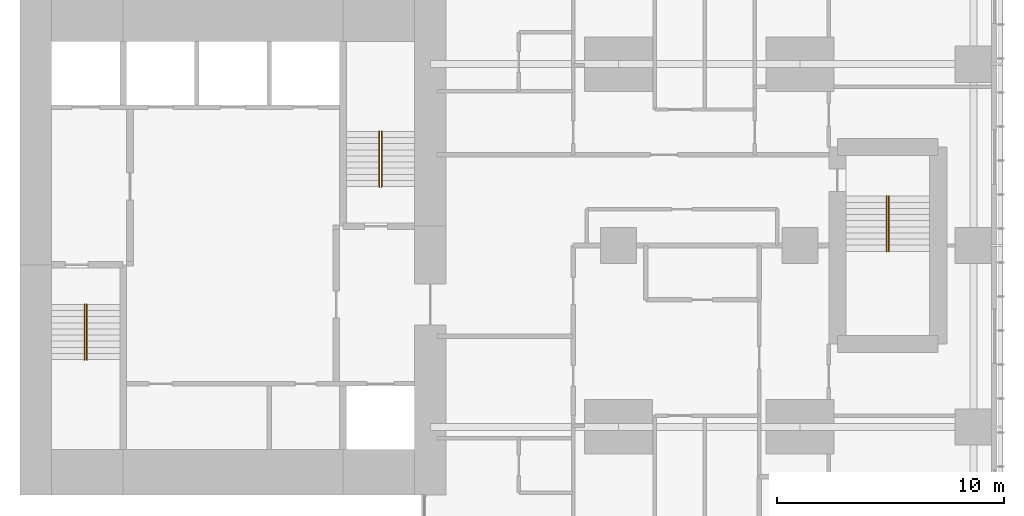
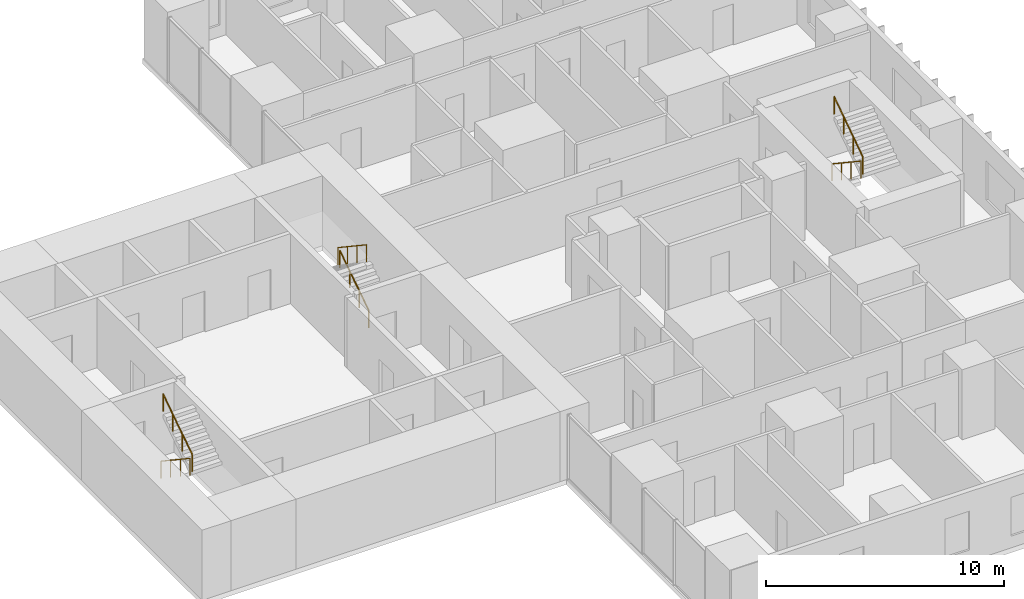
# One storey, part 12 of 12: 6 railings.
"""IFC4 building model written with IfcOpenShell, lengths in metres."""

from ifc_helpers import new_model, si_unit, direction, frame, origin, origin_2d, place, context, subcontext, project, spatial, circle, extrude, material, type_object, element, save


model = new_model("IFC4")

# Units and contexts
model_context = context("Model", 3, precision=1e-05, world=origin(), true_north=direction((0.0, 1.0)))
body_context = subcontext(model_context, "Body", "Model", "MODEL_VIEW")
ifc_project = project(units=[si_unit("LENGTHUNIT", "METRE"), si_unit("AREAUNIT", "SQUARE_METRE"), si_unit("VOLUMEUNIT", "CUBIC_METRE"), si_unit("PLANEANGLEUNIT", "RADIAN"), si_unit("MASSUNIT", "GRAM", prefix="KILO")], contexts=[model_context])

# Site, building, storey
site_placement = place(None, origin())
site = spatial("IfcSite", under=ifc_project, at=site_placement, CompositionType="ELEMENT")
building_placement = place(site_placement, origin())
building = spatial("IfcBuilding", under=site, at=building_placement, Name="Cleftline Residences", CompositionType="ELEMENT")
storey_placement = place(building_placement, frame((0.0, 0.0, 262.800048828125)))
storey = spatial("IfcBuildingStorey", under=building, at=storey_placement, Name="L69", CompositionType="ELEMENT", Elevation=262.800048828125)

# Railings
ifc_material = material(Name="Stainless steel", Category="steel")
railing_type = type_object("IfcRailingType", Name="HANDRAIL 900", PredefinedType="HANDRAIL", material=ifc_material)
railing_1_placement = place(storey_placement, frame((26.449951171875, 21.39990234375, 0.179931640625)))
element("IfcRailing", 1, at=railing_1_placement, inside=storey, type_object=railing_type, Name="Stair handrail", PredefinedType="HANDRAIL", context=body_context, shape_type="SweptSolid", body=[
    extrude(circle(Radius=0.02392578125, at=origin_2d()), frame((0.0, 0.0, 0.8759765625), z_axis=(0.0, -0.832024571796, 0.554738778101), x_axis=(1.0, 0.0, 0.0)), (0.0, 0.0, 1.0), 2.92041015625),
    extrude(circle(Radius=0.02099609375, at=origin_2d()), origin(), (0.0, 0.0, 1.0), 0.851806640625),
    extrude(circle(Radius=0.02099609375, at=origin_2d()), frame((0.0, -0.81005859375, 0.5400390625)), (0.0, 0.0, 1.0), 0.851806640625),
    extrude(circle(Radius=0.02099609375, at=origin_2d()), frame((0.0, -1.619873046875, 1.080078125)), (0.0, 0.0, 1.0), 0.851806640625),
    extrude(circle(Radius=0.02099609375, at=origin_2d()), frame((0.0, -2.429931640625, 1.6201171875)), (0.0, 0.0, 1.0), 0.851806640625),
])
railing_2_placement = place(storey_placement, frame((26.550048828125, 18.969970703125, 1.97998046875)))
element("IfcRailing", 2, at=railing_2_placement, inside=storey, type_object=railing_type, Name="Stair handrail", PredefinedType="HANDRAIL", context=body_context, shape_type="SweptSolid", body=[
    extrude(circle(Radius=0.02392578125, at=origin_2d()), frame((0.0, 0.0, 0.8759765625), z_axis=(0.0, 0.832063155534, 0.554680903946), x_axis=(-1.0, 0.0, 0.0)), (0.0, 0.0, 1.0), 2.92041015625),
    extrude(circle(Radius=0.02099609375, at=origin_2d()), origin(), (0.0, 0.0, 1.0), 0.851806640625),
    extrude(circle(Radius=0.02099609375, at=origin_2d()), frame((0.0, 0.81005859375, 0.5400390625)), (0.0, 0.0, 1.0), 0.851806640625),
    extrude(circle(Radius=0.02099609375, at=origin_2d()), frame((0.0, 1.619873046875, 1.079833984375)), (0.0, 0.0, 1.0), 0.851806640625),
    extrude(circle(Radius=0.02099609375, at=origin_2d()), frame((0.0, 2.429931640625, 1.619873046875)), (0.0, 0.0, 1.0), 0.851806640625),
])
railing_3_placement = place(storey_placement, frame((39.550048828125, 26.60009765625, 0.179931640625)))
element("IfcRailing", 3, at=railing_3_placement, inside=storey, type_object=railing_type, Name="Stair handrail", PredefinedType="HANDRAIL", context=body_context, shape_type="SweptSolid", body=[
    extrude(circle(Radius=0.02392578125, at=origin_2d()), frame((0.0, 0.0, 0.8759765625), z_axis=(0.0, 0.832024571796, 0.554738778101), x_axis=(-1.0, 0.0, 0.0)), (0.0, 0.0, 1.0), 2.92041015625),
    extrude(circle(Radius=0.02099609375, at=origin_2d()), origin(), (0.0, 0.0, 1.0), 0.851806640625),
    extrude(circle(Radius=0.02099609375, at=origin_2d()), frame((0.0, 0.81005859375, 0.5400390625)), (0.0, 0.0, 1.0), 0.851806640625),
    extrude(circle(Radius=0.02099609375, at=origin_2d()), frame((0.0, 1.619873046875, 1.080078125)), (0.0, 0.0, 1.0), 0.851806640625),
    extrude(circle(Radius=0.02099609375, at=origin_2d()), frame((0.0, 2.429931640625, 1.6201171875)), (0.0, 0.0, 1.0), 0.851806640625),
])
railing_4_placement = place(storey_placement, frame((39.449951171875, 29.030029296875, 1.97998046875)))
element("IfcRailing", 4, at=railing_4_placement, inside=storey, type_object=railing_type, Name="Stair handrail", PredefinedType="HANDRAIL", context=body_context, shape_type="SweptSolid", body=[
    extrude(circle(Radius=0.02392578125, at=origin_2d()), frame((0.0, 0.0, 0.8759765625), z_axis=(0.0, -0.832063155534, 0.554680903946), x_axis=(1.0, 0.0, 0.0)), (0.0, 0.0, 1.0), 2.92041015625),
    extrude(circle(Radius=0.02099609375, at=origin_2d()), origin(), (0.0, 0.0, 1.0), 0.851806640625),
    extrude(circle(Radius=0.02099609375, at=origin_2d()), frame((0.0, -0.81005859375, 0.5400390625)), (0.0, 0.0, 1.0), 0.851806640625),
    extrude(circle(Radius=0.02099609375, at=origin_2d()), frame((0.0, -1.619873046875, 1.079833984375)), (0.0, 0.0, 1.0), 0.851806640625),
    extrude(circle(Radius=0.02099609375, at=origin_2d()), frame((0.0, -2.429931640625, 1.619873046875)), (0.0, 0.0, 1.0), 0.851806640625),
])
railing_5_placement = place(storey_placement, frame((61.824951171875, 26.175048828125, 0.179931640625)))
element("IfcRailing", 5, at=railing_5_placement, inside=storey, type_object=railing_type, Name="Stair handrail", PredefinedType="HANDRAIL", context=body_context, shape_type="SweptSolid", body=[
    extrude(circle(Radius=0.02392578125, at=origin_2d()), frame((0.0, 0.0, 0.8759765625), z_axis=(0.0, -0.832024571796, 0.554738778101), x_axis=(1.0, 0.0, 0.0)), (0.0, 0.0, 1.0), 2.92041015625),
    extrude(circle(Radius=0.02099609375, at=origin_2d()), origin(), (0.0, 0.0, 1.0), 0.851806640625),
    extrude(circle(Radius=0.02099609375, at=origin_2d()), frame((0.0, -0.81005859375, 0.5400390625)), (0.0, 0.0, 1.0), 0.851806640625),
    extrude(circle(Radius=0.02099609375, at=origin_2d()), frame((0.0, -1.619873046875, 1.080078125)), (0.0, 0.0, 1.0), 0.851806640625),
    extrude(circle(Radius=0.02099609375, at=origin_2d()), frame((0.0, -2.429931640625, 1.6201171875)), (0.0, 0.0, 1.0), 0.851806640625),
])
railing_6_placement = place(storey_placement, frame((61.925048828125, 23.7451171875, 1.97998046875)))
element("IfcRailing", 6, at=railing_6_placement, inside=storey, type_object=railing_type, Name="Stair handrail", PredefinedType="HANDRAIL", context=body_context, shape_type="SweptSolid", body=[
    extrude(circle(Radius=0.02392578125, at=origin_2d()), frame((0.0, 0.0, 0.8759765625), z_axis=(0.0, 0.832063155534, 0.554680903946), x_axis=(-1.0, 0.0, 0.0)), (0.0, 0.0, 1.0), 2.92041015625),
    extrude(circle(Radius=0.02099609375, at=origin_2d()), origin(), (0.0, 0.0, 1.0), 0.851806640625),
    extrude(circle(Radius=0.02099609375, at=origin_2d()), frame((0.0, 0.81005859375, 0.5400390625)), (0.0, 0.0, 1.0), 0.851806640625),
    extrude(circle(Radius=0.02099609375, at=origin_2d()), frame((0.0, 1.619873046875, 1.079833984375)), (0.0, 0.0, 1.0), 0.851806640625),
    extrude(circle(Radius=0.02099609375, at=origin_2d()), frame((0.0, 2.429931640625, 1.619873046875)), (0.0, 0.0, 1.0), 0.851806640625),
])

save(model, "model.ifc")
